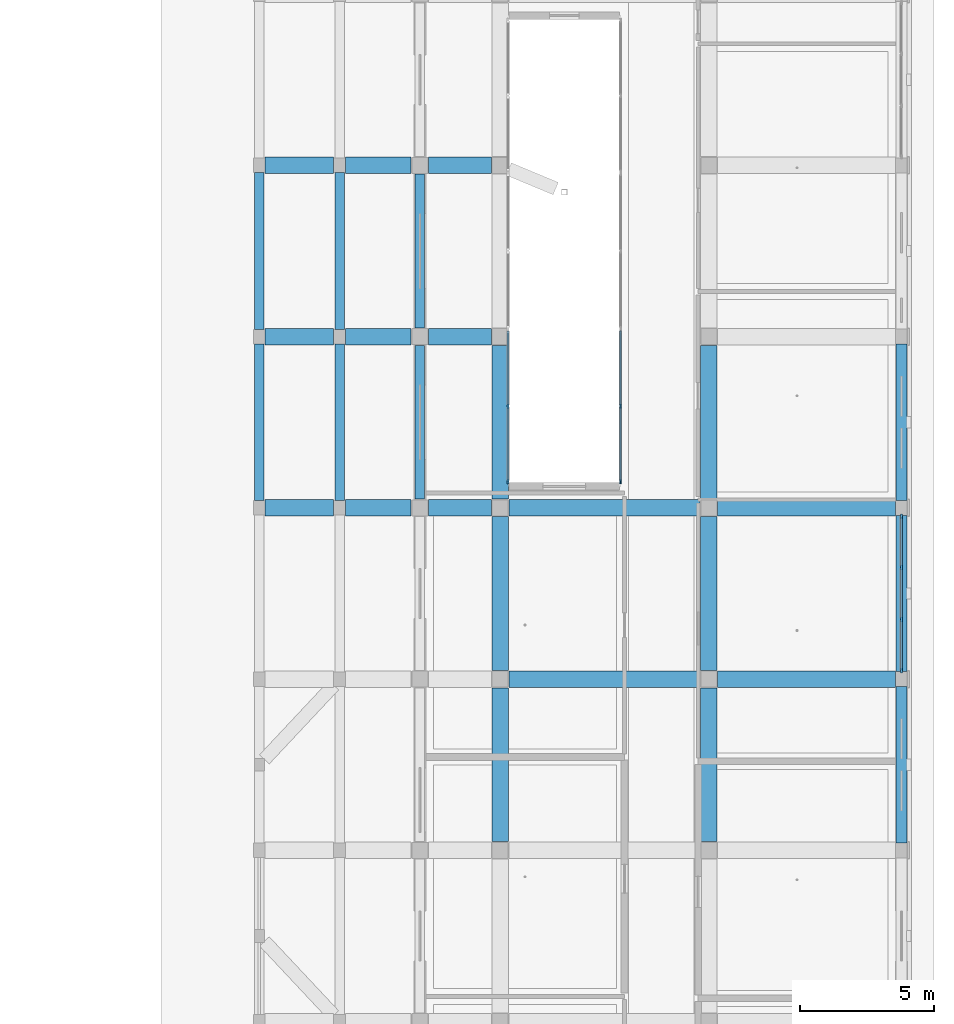
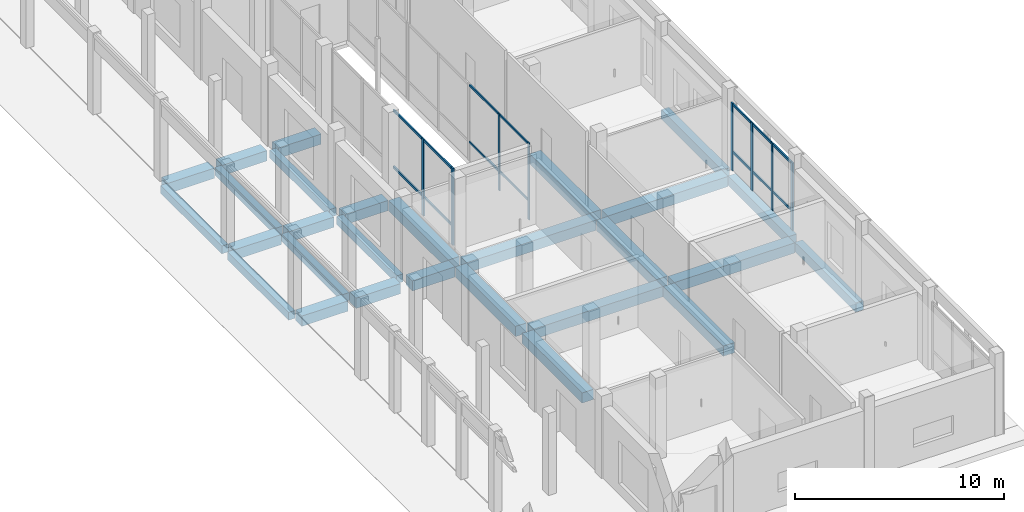
# One storey, part 33 of 88: 28 beams, 14 members, 3 elements without a shape of their own.
"""IFC4 building model written with IfcOpenShell, lengths in metres."""

from ifc_helpers import new_model, si_unit, derived_unit, direction, frame, origin, origin_2d, place, context, subcontext, project, spatial, rectangle, extrude, material, material_profile, profile_set, type_object, element, aggregate, save


model = new_model("IFC4")

# Units and contexts
model_context = context("Model", 3, precision=1e-05, world=origin(), true_north=direction((0.0, 1.0)))
body_context = subcontext(model_context, "Body", "Model", "MODEL_VIEW")
ifc_project = project(units=[si_unit("LENGTHUNIT", "METRE"), si_unit("AREAUNIT", "SQUARE_METRE"), si_unit("VOLUMEUNIT", "CUBIC_METRE"), si_unit("PLANEANGLEUNIT", "RADIAN"), si_unit("MASSUNIT", "GRAM", prefix="KILO"), derived_unit("THERMALTRANSMITTANCEUNIT", [(si_unit("POWERUNIT", "WATT"), 1), (si_unit("LENGTHUNIT", "METRE"), -2), (si_unit("THERMODYNAMICTEMPERATUREUNIT", "KELVIN"), -1)])], contexts=[model_context])

# Site, building, storey
site_placement = place(None, origin())
site = spatial("IfcSite", under=ifc_project, at=site_placement, CompositionType="ELEMENT")
building_placement = place(site_placement, origin())
building = spatial("IfcBuilding", under=site, at=building_placement, Name="Braskholm Square Health Centre", CompositionType="ELEMENT")
storey_placement = place(building_placement, origin())
storey = spatial("IfcBuildingStorey", under=building, at=storey_placement, Name="L01", CompositionType="ELEMENT", Elevation=0.0)

# Curtain wall, members
ifc_material_1 = material(Name="Low-E triple insulating glass (VLT 0.64)", Category="glass")
curtain_wall_type_1 = type_object("IfcCurtainWallType", Name="UnitisedCurtainWall5400x4400", PredefinedType="NOTDEFINED", material=ifc_material_1)
curtain_wall_1_placement = place(storey_placement, origin())
curtain_wall_1 = element("IfcCurtainWall", 1, at=curtain_wall_1_placement, inside=storey, type_object=curtain_wall_type_1, Name="EC1 Court E unitised curtain wall CW-L01-0322", PredefinedType="NOTDEFINED")
ifc_material_2 = material(Name="Architectural bronze anodised aluminium", Category="aluminium")
ifc_material_profile_1 = material_profile(ifc_material_2, rectangle(XDim=0.06494140625, YDim=0.14990234375, at=origin_2d()), Name="ALU-65X150")
ifc_profile_set_1 = profile_set([ifc_material_profile_1], Name="Architectural bronze anodised aluminium")
member_type_1 = type_object("IfcMemberType", Name="CurtainWallMullion65x150", PredefinedType="MULLION", material=ifc_profile_set_1)
member_1_placement = place(storey_placement, frame((153.300048828125, 33.60107421875, 0.0), z_axis=(0.0, 0.0, 1.0), x_axis=(1.0, 0.0, 0.0)))
member_1 = element("IfcMember", 2, at=member_1_placement, type_object=member_type_1, Name="CW-L01-0322 vertical mullion 2", PredefinedType="MULLION", context=body_context, shape_type="SweptSolid", body=[
    extrude(rectangle(XDim=0.06494140625, YDim=0.14990234375, at=origin_2d()), origin(), (0.0, 0.0, 1.0), 4.5),
])
member_2_placement = place(storey_placement, frame((153.300048828125, 30.7744140625, 0.0), z_axis=(0.0, 0.0, 1.0), x_axis=(1.0, 0.0, 0.0)))
member_2 = element("IfcMember", 3, at=member_2_placement, type_object=member_type_1, Name="CW-L01-0322 vertical mullion 3", PredefinedType="MULLION", context=body_context, shape_type="SweptSolid", body=[
    extrude(rectangle(XDim=0.06494140625, YDim=0.14990234375, at=origin_2d()), origin(), (0.0, 0.0, 1.0), 4.5),
])

curtain_wall_type_2 = type_object("IfcCurtainWallType", Name="UnitisedCurtainWall6200x4100", PredefinedType="NOTDEFINED", material=ifc_material_1)
curtain_wall_2_placement = place(storey_placement, origin())
curtain_wall_2 = element("IfcCurtainWall", 4, at=curtain_wall_2_placement, inside=storey, type_object=curtain_wall_type_2, Name="East Storefront unitised curtain wall CW-L01-0047", PredefinedType="NOTDEFINED")
ifc_material_profile_2 = material_profile(ifc_material_2, rectangle(XDim=0.074951171875, YDim=0.179931640625, at=origin_2d()), Name="ALU-75X180")
ifc_profile_set_2 = profile_set([ifc_material_profile_2], Name="Architectural bronze anodised aluminium")
member_type_2 = type_object("IfcMemberType", Name="CurtainWallMullion75x180", PredefinedType="MULLION", material=ifc_profile_set_2)
member_3_placement = place(storey_placement, frame((163.800048828125, 23.724853515625, 0.0), z_axis=(0.0, 0.0, 1.0), x_axis=(1.0, 0.0, 0.0)))
member_3 = element("IfcMember", 5, at=member_3_placement, type_object=member_type_2, Name="CW-L01-0047 vertical mullion 1", PredefinedType="MULLION", context=body_context, shape_type="SweptSolid", body=[
    extrude(rectangle(XDim=0.074951171875, YDim=0.179931640625, at=origin_2d()), origin(), (0.0, 0.0, 1.0), 3.949951171875),
])
member_4_placement = place(storey_placement, frame((163.800048828125, 25.6298828125, 0.0), z_axis=(0.0, 0.0, 1.0), x_axis=(1.0, 0.0, 0.0)))
member_4 = element("IfcMember", 6, at=member_4_placement, type_object=member_type_2, Name="CW-L01-0047 vertical mullion 2", PredefinedType="MULLION", context=body_context, shape_type="SweptSolid", body=[
    extrude(rectangle(XDim=0.074951171875, YDim=0.179931640625, at=origin_2d()), origin(), (0.0, 0.0, 1.0), 3.949951171875),
])
member_5_placement = place(storey_placement, frame((163.800048828125, 27.570068359375, 0.0), z_axis=(0.0, 0.0, 1.0), x_axis=(1.0, 0.0, 0.0)))
member_5 = element("IfcMember", 7, at=member_5_placement, type_object=member_type_2, Name="CW-L01-0047 vertical mullion 3", PredefinedType="MULLION", context=body_context, shape_type="SweptSolid", body=[
    extrude(rectangle(XDim=0.074951171875, YDim=0.179931640625, at=origin_2d()), origin(), (0.0, 0.0, 1.0), 3.949951171875),
])
member_6_placement = place(storey_placement, frame((163.800048828125, 29.47509765625, 0.0), z_axis=(0.0, 0.0, 1.0), x_axis=(1.0, 0.0, 0.0)))
member_6 = element("IfcMember", 8, at=member_6_placement, type_object=member_type_2, Name="CW-L01-0047 vertical mullion 4", PredefinedType="MULLION", context=body_context, shape_type="SweptSolid", body=[
    extrude(rectangle(XDim=0.074951171875, YDim=0.179931640625, at=origin_2d()), origin(), (0.0, 0.0, 1.0), 3.949951171875),
])

curtain_wall_3_placement = place(storey_placement, origin())
curtain_wall_3 = element("IfcCurtainWall", 9, at=curtain_wall_3_placement, inside=storey, type_object=curtain_wall_type_1, Name="EC1 Court W unitised curtain wall CW-L01-0321", PredefinedType="NOTDEFINED")
member_7_placement = place(storey_placement, frame((149.10009765625, 30.7744140625, 0.0), z_axis=(0.0, 0.0, 1.0), x_axis=(1.0, 0.0, 0.0)))
member_7 = element("IfcMember", 10, at=member_7_placement, type_object=member_type_2, Name="CW-L01-0321 vertical mullion 1", PredefinedType="MULLION", context=body_context, shape_type="SweptSolid", body=[
    extrude(rectangle(XDim=0.074951171875, YDim=0.179931640625, at=origin_2d()), origin(), (0.0, 0.0, 1.0), 4.5),
])
member_8_placement = place(storey_placement, frame((149.10009765625, 33.60107421875, 0.0), z_axis=(0.0, 0.0, 1.0), x_axis=(1.0, 0.0, 0.0)))
member_8 = element("IfcMember", 11, at=member_8_placement, type_object=member_type_2, Name="CW-L01-0321 vertical mullion 2", PredefinedType="MULLION", context=body_context, shape_type="SweptSolid", body=[
    extrude(rectangle(XDim=0.074951171875, YDim=0.179931640625, at=origin_2d()), origin(), (0.0, 0.0, 1.0), 4.5),
])

# Member
ifc_material_profile_3 = material_profile(ifc_material_2, rectangle(XDim=0.06494140625, YDim=0.1201171875, at=origin_2d()), Name="ALU-65X120")
ifc_profile_set_3 = profile_set([ifc_material_profile_3], Name="Architectural bronze anodised aluminium")
member_type_3 = type_object("IfcMemberType", Name="CurtainWallTransom65x120", PredefinedType="USERDEFINED", material=ifc_profile_set_3)
member_9_placement = place(storey_placement, frame((153.300048828125, 36.4169921875, 1.1201171875), z_axis=(0.0, -1.0, 0.0), x_axis=(1.0, 0.0, 0.0)))
member_9 = element("IfcMember", 12, at=member_9_placement, type_object=member_type_3, Name="CW-L01-0322 horizontal transom 1", ObjectType="TRANSOM", PredefinedType="USERDEFINED", context=body_context, shape_type="SweptSolid", body=[
    extrude(rectangle(XDim=0.06494140625, YDim=0.1201171875, at=origin_2d()), origin(), (0.0, 0.0, 1.0), 5.632080078125),
])

member_10_placement = place(storey_placement, frame((153.300048828125, 36.4169921875, 4.429931640625), z_axis=(0.0, -1.0, 0.0), x_axis=(1.0, 0.0, 0.0)))
member_10 = element("IfcMember", 13, at=member_10_placement, type_object=member_type_3, Name="CW-L01-0322 horizontal transom 2", ObjectType="TRANSOM", PredefinedType="USERDEFINED", context=body_context, shape_type="SweptSolid", body=[
    extrude(rectangle(XDim=0.06494140625, YDim=0.1201171875, at=origin_2d()), origin(), (0.0, 0.0, 1.0), 5.632080078125),
])

aggregate(curtain_wall_1, [member_1, member_2, member_9, member_10])

ifc_material_profile_4 = material_profile(ifc_material_2, rectangle(XDim=0.074951171875, YDim=0.139892578125, at=origin_2d()), Name="ALU-75X140")
ifc_profile_set_4 = profile_set([ifc_material_profile_4], Name="Architectural bronze anodised aluminium")
member_type_4 = type_object("IfcMemberType", Name="CurtainWallTransom75x140", PredefinedType="USERDEFINED", material=ifc_profile_set_4)
member_11_placement = place(storey_placement, frame((163.800048828125, 23.735107421875, 1.1201171875), z_axis=(0.0, 1.0, 0.0), x_axis=(-1.0, 0.0, 0.0)))
member_11 = element("IfcMember", 14, at=member_11_placement, type_object=member_type_4, Name="CW-L01-0047 horizontal transom 1", ObjectType="TRANSOM", PredefinedType="USERDEFINED", context=body_context, shape_type="SweptSolid", body=[
    extrude(rectangle(XDim=0.074951171875, YDim=0.139892578125, at=origin_2d()), origin(), (0.0, 0.0, 1.0), 5.72998046875),
])

member_12_placement = place(storey_placement, frame((163.800048828125, 23.735107421875, 3.8798828125), z_axis=(0.0, 1.0, 0.0), x_axis=(-1.0, 0.0, 0.0)))
member_12 = element("IfcMember", 15, at=member_12_placement, type_object=member_type_4, Name="CW-L01-0047 horizontal transom 2", ObjectType="TRANSOM", PredefinedType="USERDEFINED", context=body_context, shape_type="SweptSolid", body=[
    extrude(rectangle(XDim=0.074951171875, YDim=0.139892578125, at=origin_2d()), origin(), (0.0, 0.0, 1.0), 5.72998046875),
])

aggregate(curtain_wall_2, [member_3, member_4, member_5, member_6, member_11, member_12])

member_13_placement = place(storey_placement, frame((149.10009765625, 30.784912109375, 1.1201171875), z_axis=(0.0, 1.0, 0.0), x_axis=(-1.0, 0.0, 0.0)))
member_13 = element("IfcMember", 16, at=member_13_placement, type_object=member_type_4, Name="CW-L01-0321 horizontal transom 1", ObjectType="TRANSOM", PredefinedType="USERDEFINED", context=body_context, shape_type="SweptSolid", body=[
    extrude(rectangle(XDim=0.074951171875, YDim=0.139892578125, at=origin_2d()), origin(), (0.0, 0.0, 1.0), 5.632080078125),
])

member_14_placement = place(storey_placement, frame((149.10009765625, 30.784912109375, 4.429931640625), z_axis=(0.0, 1.0, 0.0), x_axis=(-1.0, 0.0, 0.0)))
member_14 = element("IfcMember", 17, at=member_14_placement, type_object=member_type_4, Name="CW-L01-0321 horizontal transom 2", ObjectType="TRANSOM", PredefinedType="USERDEFINED", context=body_context, shape_type="SweptSolid", body=[
    extrude(rectangle(XDim=0.074951171875, YDim=0.139892578125, at=origin_2d()), origin(), (0.0, 0.0, 1.0), 5.632080078125),
])

aggregate(curtain_wall_3, [member_7, member_8, member_13, member_14])

# Beams
ifc_material_3 = material(Name="Concrete C40/50 (f'c = 40 MPa)", Category="concrete")
ifc_material_profile_5 = material_profile(ifc_material_3, rectangle(XDim=0.6201171875, YDim=0.60009765625, at=origin_2d()), Name="RCB-620X600")
ifc_profile_set_5 = profile_set([ifc_material_profile_5], Name="Concrete C40/50 (f'c = 40 MPa)")
beam_type_1 = type_object("IfcBeamType", Name="PrimarySubstructureBeam620x600", PredefinedType="BEAM", material=ifc_profile_set_5)
for number, where, z_axis, x_axis, name in (
    (18, (148.800048828125, 17.324951171875, -0.60009765625), (0.0, 1.0, 0.0), (-1.0, 0.0, 0.0), "Beam 20/C-D L01"),
    (19, (148.800048828125, 23.72509765625, -0.60009765625), (0.0, 1.0, 0.0), (-1.0, 0.0, 0.0), "Beam 20/D-E L01"),
    (20, (148.800048828125, 30.125, -0.60009765625), (0.0, 1.0, 0.0), (-1.0, 0.0, 0.0), "Beam 20/E-F L01"),
    (21, (156.60009765625, 17.324951171875, -0.60009765625), (0.0, 1.0, 0.0), (-1.0, 0.0, 0.0), "Beam 21/C-D L01"),
    (22, (156.60009765625, 23.72509765625, -0.60009765625), (0.0, 1.0, 0.0), (-1.0, 0.0, 0.0), "Beam 21/D-E L01"),
    (23, (156.60009765625, 30.125, -0.60009765625), (0.0, 1.0, 0.0), (-1.0, 0.0, 0.0), "Beam 21/E-F L01"),
):
    element("IfcBeam", number, at=place(storey_placement, frame(where, z_axis=z_axis, x_axis=x_axis)), inside=storey, type_object=beam_type_1, Name=name, PredefinedType="BEAM", context=body_context, shape_type="SweptSolid", body=[
        extrude(rectangle(XDim=0.6201171875, YDim=0.60009765625, at=origin_2d()), origin(), (0.0, 0.0, 1.0), 5.75),
    ])
beam_1_placement = place(storey_placement, frame((149.125, 23.39990234375, -0.60009765625), z_axis=(1.0, 0.0, 0.0), x_axis=(0.0, 1.0, 0.0)))
element("IfcBeam", 24, at=beam_1_placement, inside=storey, type_object=beam_type_1, Name="Beam 20-21/D L01", PredefinedType="BEAM", context=body_context, shape_type="SweptSolid", body=[
    extrude(rectangle(XDim=0.6201171875, YDim=0.60009765625, at=origin_2d()), origin(), (0.0, 0.0, 1.0), 7.14990234375),
])
beam_2_placement = place(storey_placement, frame((156.925048828125, 23.39990234375, -0.60009765625), z_axis=(1.0, 0.0, 0.0), x_axis=(0.0, 1.0, 0.0)))
element("IfcBeam", 25, at=beam_2_placement, inside=storey, type_object=beam_type_1, Name="Beam 21-22/D L01", PredefinedType="BEAM", context=body_context, shape_type="SweptSolid", body=[
    extrude(rectangle(XDim=0.6201171875, YDim=0.60009765625, at=origin_2d()), origin(), (0.0, 0.0, 1.0), 6.64501953125),
])
beam_3_placement = place(storey_placement, frame((140.02001953125, 29.800048828125, -0.52490234375), z_axis=(1.0, 0.0, 0.0), x_axis=(0.0, 1.0, 0.0)))
element("IfcBeam", 26, at=beam_3_placement, inside=storey, type_object=beam_type_1, Name="Beam 17-18/E L01", PredefinedType="BEAM", context=body_context, shape_type="SweptSolid", body=[
    extrude(rectangle(XDim=0.6201171875, YDim=0.60009765625, at=origin_2d()), origin(), (0.0, 0.0, 1.0), 2.56005859375),
])
beam_4_placement = place(storey_placement, frame((143.02001953125, 29.800048828125, -0.52490234375), z_axis=(1.0, 0.0, 0.0), x_axis=(0.0, 1.0, 0.0)))
element("IfcBeam", 27, at=beam_4_placement, inside=storey, type_object=beam_type_1, Name="Beam 18-19/E L01", PredefinedType="BEAM", context=body_context, shape_type="SweptSolid", body=[
    extrude(rectangle(XDim=0.6201171875, YDim=0.60009765625, at=origin_2d()), origin(), (0.0, 0.0, 1.0), 2.455078125),
])
beam_5_placement = place(storey_placement, frame((146.125, 29.800048828125, -0.60009765625), z_axis=(1.0, 0.0, 0.0), x_axis=(0.0, 1.0, 0.0)))
element("IfcBeam", 28, at=beam_5_placement, inside=storey, type_object=beam_type_1, Name="Beam 19-20/E L01", PredefinedType="BEAM", context=body_context, shape_type="SweptSolid", body=[
    extrude(rectangle(XDim=0.6201171875, YDim=0.60009765625, at=origin_2d()), origin(), (0.0, 0.0, 1.0), 2.35009765625),
])
beam_6_placement = place(storey_placement, frame((149.125, 29.800048828125, -0.60009765625), z_axis=(1.0, 0.0, 0.0), x_axis=(0.0, 1.0, 0.0)))
element("IfcBeam", 29, at=beam_6_placement, inside=storey, type_object=beam_type_1, Name="Beam 20-21/E L01", PredefinedType="BEAM", context=body_context, shape_type="SweptSolid", body=[
    extrude(rectangle(XDim=0.6201171875, YDim=0.60009765625, at=origin_2d()), origin(), (0.0, 0.0, 1.0), 7.14990234375),
])
beam_7_placement = place(storey_placement, frame((156.925048828125, 29.800048828125, -0.60009765625), z_axis=(1.0, 0.0, 0.0), x_axis=(0.0, 1.0, 0.0)))
element("IfcBeam", 30, at=beam_7_placement, inside=storey, type_object=beam_type_1, Name="Beam 21-22/E L01", PredefinedType="BEAM", context=body_context, shape_type="SweptSolid", body=[
    extrude(rectangle(XDim=0.6201171875, YDim=0.60009765625, at=origin_2d()), origin(), (0.0, 0.0, 1.0), 6.64501953125),
])
beam_8_placement = place(storey_placement, frame((140.02001953125, 36.199951171875, -0.52490234375), z_axis=(1.0, 0.0, 0.0), x_axis=(0.0, 1.0, 0.0)))
element("IfcBeam", 31, at=beam_8_placement, inside=storey, type_object=beam_type_1, Name="Beam 17-18/F L01", PredefinedType="BEAM", context=body_context, shape_type="SweptSolid", body=[
    extrude(rectangle(XDim=0.6201171875, YDim=0.60009765625, at=origin_2d()), origin(), (0.0, 0.0, 1.0), 2.56005859375),
])
beam_9_placement = place(storey_placement, frame((143.02001953125, 36.199951171875, -0.52490234375), z_axis=(1.0, 0.0, 0.0), x_axis=(0.0, 1.0, 0.0)))
element("IfcBeam", 32, at=beam_9_placement, inside=storey, type_object=beam_type_1, Name="Beam 18-19/F L01", PredefinedType="BEAM", context=body_context, shape_type="SweptSolid", body=[
    extrude(rectangle(XDim=0.6201171875, YDim=0.60009765625, at=origin_2d()), origin(), (0.0, 0.0, 1.0), 2.455078125),
])
beam_10_placement = place(storey_placement, frame((146.125, 36.199951171875, -0.60009765625), z_axis=(1.0, 0.0, 0.0), x_axis=(0.0, 1.0, 0.0)))
element("IfcBeam", 33, at=beam_10_placement, inside=storey, type_object=beam_type_1, Name="Beam 19-20/F L01", PredefinedType="BEAM", context=body_context, shape_type="SweptSolid", body=[
    extrude(rectangle(XDim=0.6201171875, YDim=0.60009765625, at=origin_2d()), origin(), (0.0, 0.0, 1.0), 2.35009765625),
])
beam_11_placement = place(storey_placement, frame((140.02001953125, 42.60009765625, -0.52490234375), z_axis=(1.0, 0.0, 0.0), x_axis=(0.0, 1.0, 0.0)))
element("IfcBeam", 34, at=beam_11_placement, inside=storey, type_object=beam_type_1, Name="Beam 17-18/G L01", PredefinedType="BEAM", context=body_context, shape_type="SweptSolid", body=[
    extrude(rectangle(XDim=0.6201171875, YDim=0.60009765625, at=origin_2d()), origin(), (0.0, 0.0, 1.0), 2.56005859375),
])
beam_12_placement = place(storey_placement, frame((143.02001953125, 42.60009765625, -0.52490234375), z_axis=(1.0, 0.0, 0.0), x_axis=(0.0, 1.0, 0.0)))
element("IfcBeam", 35, at=beam_12_placement, inside=storey, type_object=beam_type_1, Name="Beam 18-19/G L01", PredefinedType="BEAM", context=body_context, shape_type="SweptSolid", body=[
    extrude(rectangle(XDim=0.6201171875, YDim=0.60009765625, at=origin_2d()), origin(), (0.0, 0.0, 1.0), 2.455078125),
])
beam_13_placement = place(storey_placement, frame((146.125, 42.60009765625, -0.60009765625), z_axis=(1.0, 0.0, 0.0), x_axis=(0.0, 1.0, 0.0)))
element("IfcBeam", 36, at=beam_13_placement, inside=storey, type_object=beam_type_1, Name="Beam 19-20/G L01", PredefinedType="BEAM", context=body_context, shape_type="SweptSolid", body=[
    extrude(rectangle(XDim=0.6201171875, YDim=0.60009765625, at=origin_2d()), origin(), (0.0, 0.0, 1.0), 2.35009765625),
])
ifc_material_4 = material(Name="Precast concrete C40/50 architectural white", Category="concrete")
ifc_material_profile_6 = material_profile(ifc_material_4, rectangle(XDim=0.419921875, YDim=0.550048828125, at=origin_2d()), Name="RCB-420X550")
ifc_profile_set_6 = profile_set([ifc_material_profile_6], Name="Precast concrete C40/50 architectural white")
beam_type_2 = type_object("IfcBeamType", Name="SpandrelPrecastLedge420x550", PredefinedType="SPANDREL", material=ifc_profile_set_6)
for number, where, z_axis, x_axis, name in (
    (37, (163.800048828125, 17.280029296875, -0.574951171875), (0.0, 1.0, 0.0), (-1.0, 0.0, 0.0), "Beam 22/C-D L01"),
    (38, (163.800048828125, 23.679931640625, -0.574951171875), (0.0, 1.0, 0.0), (-1.0, 0.0, 0.0), "Beam 22/D-E L01"),
):
    element("IfcBeam", number, at=place(storey_placement, frame(where, z_axis=z_axis, x_axis=x_axis)), inside=storey, type_object=beam_type_2, Name=name, PredefinedType="SPANDREL", context=body_context, shape_type="SweptSolid", body=[
        extrude(rectangle(XDim=0.419921875, YDim=0.550048828125, at=origin_2d()), origin(), (0.0, 0.0, 1.0), 5.840087890625),
    ])
beam_14_placement = place(storey_placement, frame((163.800048828125, 30.080078125, -0.574951171875), z_axis=(0.0, 1.0, 0.0), x_axis=(-1.0, 0.0, 0.0)))
element("IfcBeam", 39, at=beam_14_placement, inside=storey, type_object=beam_type_2, Name="Beam 22/E-F L01", PredefinedType="SPANDREL", context=body_context, shape_type="SweptSolid", body=[
    extrude(rectangle(XDim=0.419921875, YDim=0.550048828125, at=origin_2d()), origin(), (0.0, 0.0, 1.0), 5.83984375),
])
ifc_material_profile_7 = material_profile(ifc_material_4, rectangle(XDim=0.360107421875, YDim=0.4599609375, at=origin_2d()), Name="RCB-360X460")
ifc_profile_set_7 = profile_set([ifc_material_profile_7], Name="Precast concrete C40/50 architectural white")
beam_type_3 = type_object("IfcBeamType", Name="SpandrelTerraceEdge360x460", PredefinedType="SPANDREL", material=ifc_profile_set_7)
beam_15_placement = place(storey_placement, frame((139.800048828125, 30.070068359375, -0.455078125), z_axis=(0.0, 1.0, 0.0), x_axis=(-1.0, 0.0, 0.0)))
element("IfcBeam", 40, at=beam_15_placement, inside=storey, type_object=beam_type_3, Name="Beam 17/E-F L01", PredefinedType="SPANDREL", context=body_context, shape_type="SweptSolid", body=[
    extrude(rectangle(XDim=0.360107421875, YDim=0.4599609375, at=origin_2d()), origin(), (0.0, 0.0, 1.0), 5.85986328125),
])
beam_16_placement = place(storey_placement, frame((139.800048828125, 36.469970703125, -0.455078125), z_axis=(0.0, 1.0, 0.0), x_axis=(-1.0, 0.0, 0.0)))
element("IfcBeam", 41, at=beam_16_placement, inside=storey, type_object=beam_type_3, Name="Beam 17/F-G L01", PredefinedType="SPANDREL", context=body_context, shape_type="SweptSolid", body=[
    extrude(rectangle(XDim=0.360107421875, YDim=0.4599609375, at=origin_2d()), origin(), (0.0, 0.0, 1.0), 5.860107421875),
])
beam_17_placement = place(storey_placement, frame((142.800048828125, 30.070068359375, -0.455078125), z_axis=(0.0, 1.0, 0.0), x_axis=(-1.0, 0.0, 0.0)))
element("IfcBeam", 42, at=beam_17_placement, inside=storey, type_object=beam_type_3, Name="Beam 18/E-F L01", PredefinedType="SPANDREL", context=body_context, shape_type="SweptSolid", body=[
    extrude(rectangle(XDim=0.360107421875, YDim=0.4599609375, at=origin_2d()), origin(), (0.0, 0.0, 1.0), 5.85986328125),
])
beam_18_placement = place(storey_placement, frame((142.800048828125, 36.469970703125, -0.455078125), z_axis=(0.0, 1.0, 0.0), x_axis=(-1.0, 0.0, 0.0)))
element("IfcBeam", 43, at=beam_18_placement, inside=storey, type_object=beam_type_3, Name="Beam 18/F-G L01", PredefinedType="SPANDREL", context=body_context, shape_type="SweptSolid", body=[
    extrude(rectangle(XDim=0.360107421875, YDim=0.4599609375, at=origin_2d()), origin(), (0.0, 0.0, 1.0), 5.860107421875),
])
for number, where, z_axis, x_axis, name in (
    (44, (145.800048828125, 30.125, -0.455078125), (0.0, 1.0, 0.0), (-1.0, 0.0, 0.0), "Beam 19/E-F L01"),
    (45, (145.800048828125, 36.52490234375, -0.455078125), (0.0, 1.0, 0.0), (-1.0, 0.0, 0.0), "Beam 19/F-G L01"),
):
    element("IfcBeam", number, at=place(storey_placement, frame(where, z_axis=z_axis, x_axis=x_axis)), inside=storey, type_object=beam_type_3, Name=name, PredefinedType="SPANDREL", context=body_context, shape_type="SweptSolid", body=[
        extrude(rectangle(XDim=0.360107421875, YDim=0.4599609375, at=origin_2d()), origin(), (0.0, 0.0, 1.0), 5.75),
    ])

save(model, "model.ifc")
